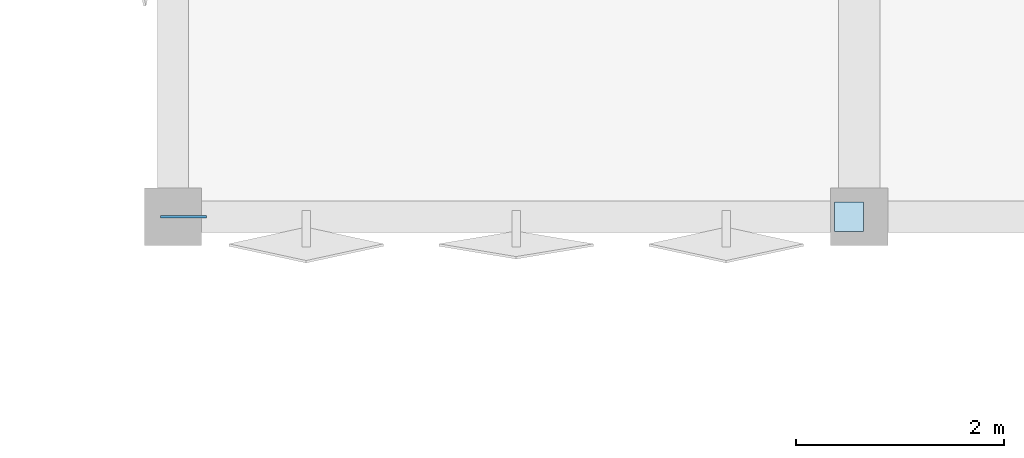
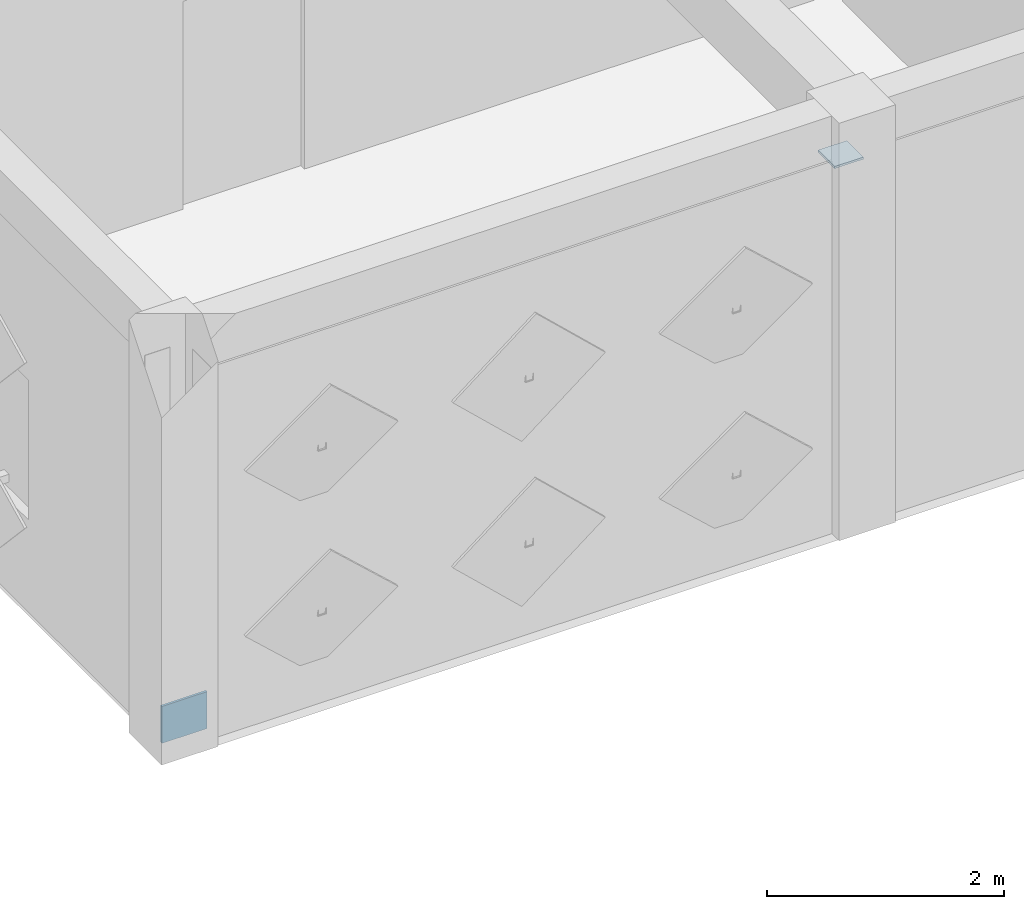
# One storey, part 25 of 36: 2 plates.
"""IFC4 building model written with IfcOpenShell, lengths in metres."""

from ifc_helpers import new_model, si_unit, direction, frame, origin, origin_2d, place, context, subcontext, project, spatial, rectangle, extrude, material, layer, layer_set, type_object, element, save


model = new_model("IFC4")

# Units and contexts
model_context = context("Model", 3, precision=1e-05, world=origin(), true_north=direction((0.0, 1.0)))
body_context = subcontext(model_context, "Body", "Model", "MODEL_VIEW")
ifc_project = project(units=[si_unit("LENGTHUNIT", "METRE"), si_unit("AREAUNIT", "SQUARE_METRE"), si_unit("VOLUMEUNIT", "CUBIC_METRE"), si_unit("PLANEANGLEUNIT", "RADIAN"), si_unit("MASSUNIT", "GRAM", prefix="KILO")], contexts=[model_context])

# Site, building, storey
site_placement = place(None, origin())
site = spatial("IfcSite", under=ifc_project, at=site_placement, CompositionType="ELEMENT")
building_placement = place(site_placement, origin())
building = spatial("IfcBuilding", under=site, at=building_placement, Name="Kharisveld Research Institute", CompositionType="ELEMENT")
storey_placement = place(building_placement, frame((0.0, 0.0, 27.60009765625)))
storey = spatial("IfcBuildingStorey", under=building, at=storey_placement, Name="L06", CompositionType="ELEMENT", Elevation=27.60009765625)

# Plates
ifc_material_1 = material(Name="Steel S355JR", Category="steel")
ifc_layer_1 = layer(ifc_material_1, 0.02197265625)
ifc_layer_set_1 = layer_set([ifc_layer_1], Name="PL_CAP_C")
plate_type_1 = type_object("IfcPlateType", Name="PL_CAP_C", PredefinedType="SHEET", material=ifc_layer_set_1)
plate_1_placement = place(storey_placement, frame((127.699951171875, 39.199951171875, 3.739013671875), z_axis=(0.0, 0.0, 1.0), x_axis=(1.0, 0.0, 0.0)))
element("IfcPlate", 1, at=plate_1_placement, inside=storey, type_object=plate_type_1, Name="PLT:V2:L06:CAP_1_0", PredefinedType="SHEET", context=body_context, shape_type="SweptSolid", body=[
    extrude(rectangle(XDim=0.280029296875, YDim=0.280029296875, at=origin_2d()), origin(), (0.0, 0.0, 1.0), 0.02197265625),
])
ifc_material_2 = material(Name="Steel S355JR", Category="steel")
ifc_layer_2 = layer(ifc_material_2, 0.02392578125)
ifc_layer_set_2 = layer_set([ifc_layer_2], Name="PL_GUS_C")
plate_type_2 = type_object("IfcPlateType", Name="PL_GUS_C", PredefinedType="USERDEFINED", material=ifc_layer_set_2)
plate_2_placement = place(storey_placement, frame((121.300048828125, 39.199951171875, 0.010009765625), z_axis=(0.0, 0.0, 1.0), x_axis=(1.0, 0.0, 0.0)))
element("IfcPlate", 2, at=plate_2_placement, inside=storey, type_object=plate_type_2, Name="PLT:V2:L06:GUS_1_0", ObjectType="GUSSET PLATE", PredefinedType="USERDEFINED", context=body_context, shape_type="SweptSolid", body=[
    extrude(rectangle(XDim=0.43994140625, YDim=0.02392578125, at=origin_2d()), origin(), (0.0, 0.0, 1.0), 0.3798828125),
])

save(model, "model.ifc")
